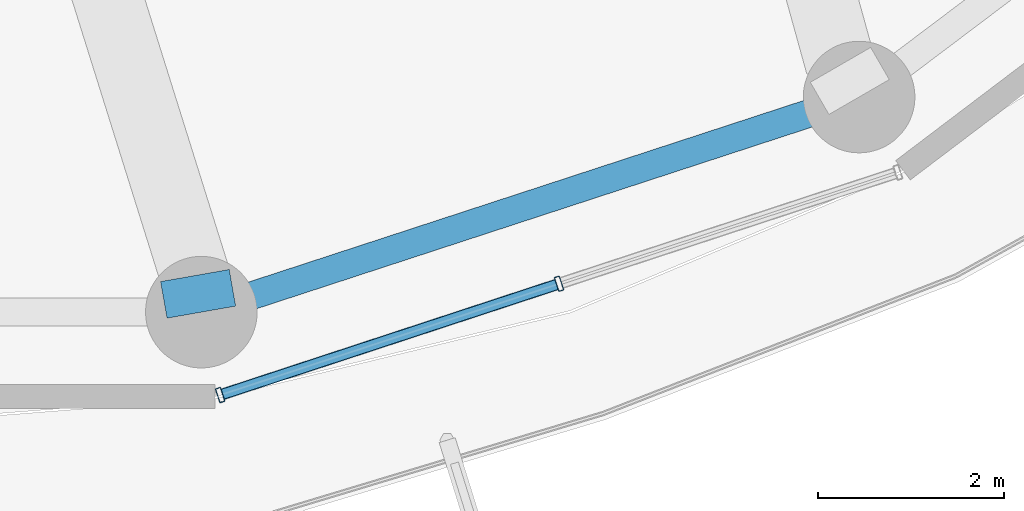
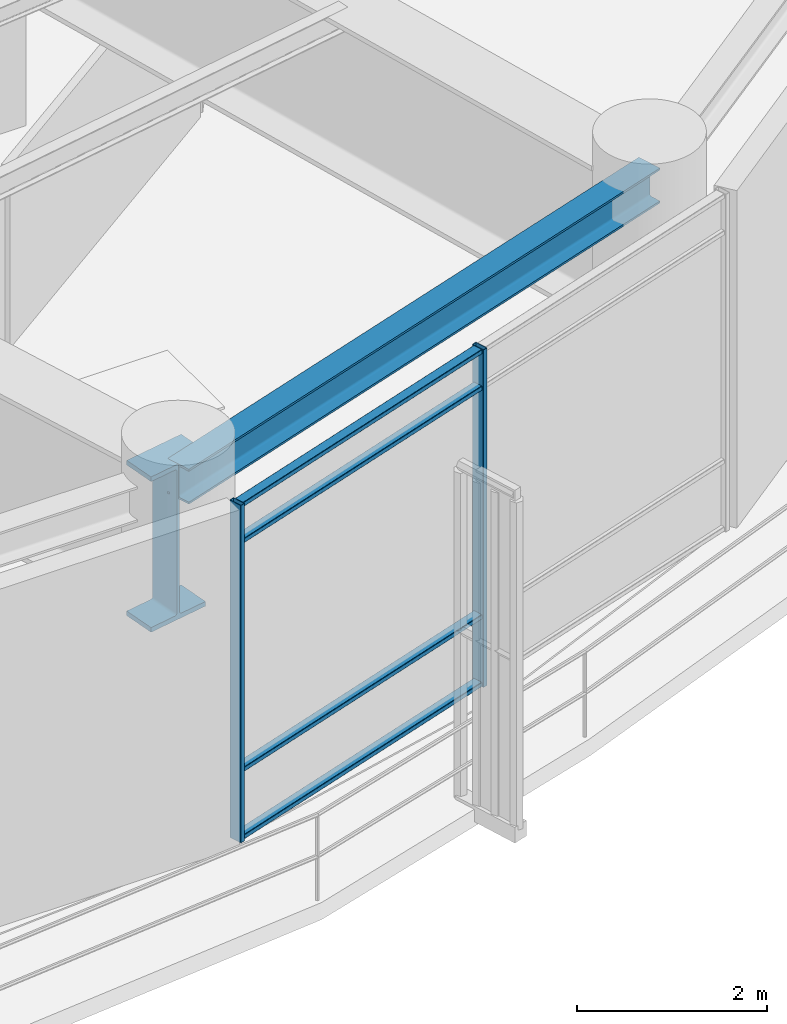
# One storey, part 4 of 28: 6 members, 2 beams, 1 element without a shape of its own.
"""IFC4 building model written with IfcOpenShell, lengths in metres."""

from ifc_helpers import new_model, si_unit, direction, frame, origin, origin_2d, place, context, subcontext, project, spatial, hollow_rectangle, i_section, extrude, material, layer, layer_set, material_profile, profile_set, type_object, element, aggregate, save


model = new_model("IFC4")

# Units and contexts
model_context = context("Model", 3, precision=1e-05, world=origin(), true_north=direction((0.0, 1.0)))
body_context = subcontext(model_context, "Body", "Model", "MODEL_VIEW")
ifc_project = project(units=[si_unit("LENGTHUNIT", "METRE"), si_unit("AREAUNIT", "SQUARE_METRE"), si_unit("VOLUMEUNIT", "CUBIC_METRE"), si_unit("PLANEANGLEUNIT", "RADIAN"), si_unit("MASSUNIT", "GRAM", prefix="KILO")], contexts=[model_context])

# Site, building, storey
site_placement = place(None, origin())
site = spatial("IfcSite", under=ifc_project, at=site_placement, CompositionType="ELEMENT")
building_placement = place(site_placement, origin())
building = spatial("IfcBuilding", under=site, at=building_placement, Name="Kelanora Arch Commons", CompositionType="ELEMENT")
storey_placement = place(building_placement, frame((0.0, 0.0, 184.35009765625)))
storey = spatial("IfcBuildingStorey", under=building, at=storey_placement, Name="L47", CompositionType="ELEMENT", Elevation=184.35009765625)

# Beams
ifc_material_1 = material(Name="Steel S355", Category="steel")
ifc_material_profile_1 = material_profile(ifc_material_1, i_section(OverallWidth=0.300048828125, OverallDepth=0.449951171875, WebThickness=0.013916015625, FlangeThickness=0.02587890625, FilletRadius=0.027099609375, at=origin_2d()), Name="HEB450")
ifc_profile_set_1 = profile_set([ifc_material_profile_1], Name="Steel S355")
beam_type_1 = type_object("IfcBeamType", Name="BM-SPN-Z3", PredefinedType="SPANDREL", material=ifc_profile_set_1)
beam_1_placement = place(storey_placement, frame((77.7646484375, 38.81591796875, 4.135009765625), z_axis=(0.950461975786, 0.310840847676, 0.0), x_axis=(-0.310840847676, 0.950461975786, 0.0)))
element("IfcBeam", 1, at=beam_1_placement, inside=storey, type_object=beam_type_1, Name="Perimeter Spandrel Beam BS-28 L47", PredefinedType="SPANDREL", context=body_context, shape_type="SweptSolid", body=[
    extrude(i_section(OverallWidth=0.300048828125, OverallDepth=0.449951171875, WebThickness=0.013916015625, FlangeThickness=0.02587890625, FilletRadius=0.027099609375, at=origin_2d()), origin(), (0.0, 0.0, 1.0), 7.444091796875),
])
ifc_material_profile_2 = material_profile(ifc_material_1, i_section(OverallWidth=0.75, OverallDepth=2.0, WebThickness=0.034912109375, FlangeThickness=0.06005859375, FilletRadius=0.028076171875, at=origin_2d()), Name="PG2000x750")
ifc_profile_set_2 = profile_set([ifc_material_profile_2], Name="Steel S355")
beam_type_2 = type_object("IfcBeamType", Name="BM-XFER-SET", PredefinedType="USERDEFINED", material=ifc_profile_set_2)
beam_2_placement = place(storey_placement, frame((77.6953125, 39.2099609375, 3.35986328125), z_axis=(0.173297968404, -0.984869440153, 0.0), x_axis=(0.984869440153, 0.173297968404, 0.0)))
element("IfcBeam", 2, at=beam_2_placement, inside=storey, type_object=beam_type_2, Name="Radial Floor Girder BR-28 L47", ObjectType="TRANSFER_GIRDER", PredefinedType="USERDEFINED", context=body_context, shape_type="SweptSolid", body=[
    extrude(i_section(OverallWidth=0.75, OverallDepth=2.0, WebThickness=0.034912109375, FlangeThickness=0.06005859375, FilletRadius=0.028076171875, at=origin_2d()), origin(), (0.0, 0.0, 1.0), 0.400146484375),
])

# Curtain wall, members
ifc_material_2 = material(Name="Terracotta ceramic-fritted low-E glass and aluminium", Category="masonry")
ifc_layer = layer(ifc_material_2, 0.175048828125)
ifc_layer_set = layer_set([ifc_layer], Name="Terracotta ceramic-fritted low-E glass and aluminium")
curtain_wall_type = type_object("IfcCurtainWallType", Name="CW-SYS-02", PredefinedType="NOTDEFINED", material=ifc_layer_set)
curtain_wall_placement = place(storey_placement, origin())
curtain_wall = element("IfcCurtainWall", 3, at=curtain_wall_placement, inside=storey, type_object=curtain_wall_type, Name="Unitised Curtain Wall L47-B14", PredefinedType="NOTDEFINED")
ifc_material_3 = material(Name="Powder-coated aluminium terracotta", Category="masonry")
ifc_material_profile_3 = material_profile(ifc_material_3, hollow_rectangle(XDim=0.159912109375, YDim=0.06005859375, WallThickness=0.0048828125, InnerFilletRadius=0.0048828125, OuterFilletRadius=0.010009765625, at=origin_2d()), Name="CWM160x60")
ifc_profile_set_3 = profile_set([ifc_material_profile_3], Name="Powder-coated aluminium terracotta")
member_type_1 = type_object("IfcMemberType", Name="CWM-STD", PredefinedType="MULLION", material=ifc_profile_set_3)
member_1_placement = place(storey_placement, frame((77.96728515625, 37.924072265625, 0.0), z_axis=(0.0, 0.0, 1.0), x_axis=(-0.312128279571, 0.95003996605, 0.0)))
member_1 = element("IfcMember", 4, at=member_1_placement, type_object=member_type_1, Name="CW-02 mullion 1", PredefinedType="MULLION", context=body_context, shape_type="SweptSolid", body=[
    extrude(hollow_rectangle(XDim=0.159912109375, YDim=0.06005859375, WallThickness=0.0048828125, InnerFilletRadius=0.0048828125, OuterFilletRadius=0.010009765625, at=origin_2d()), origin(), (0.0, 0.0, 1.0), 4.344970703125),
])
member_2_placement = place(storey_placement, frame((81.6123046875, 39.12158203125, 0.0), z_axis=(0.0, 0.0, 1.0), x_axis=(-0.312128279571, 0.95003996605, 0.0)))
member_2 = element("IfcMember", 5, at=member_2_placement, type_object=member_type_1, Name="CW-02 mullion 2", PredefinedType="MULLION", context=body_context, shape_type="SweptSolid", body=[
    extrude(hollow_rectangle(XDim=0.159912109375, YDim=0.06005859375, WallThickness=0.0048828125, InnerFilletRadius=0.0048828125, OuterFilletRadius=0.010009765625, at=origin_2d()), origin(), (0.0, 0.0, 1.0), 4.344970703125),
])
ifc_material_profile_4 = material_profile(ifc_material_3, hollow_rectangle(XDim=0.1201171875, YDim=0.06005859375, WallThickness=0.0048828125, InnerFilletRadius=0.0048828125, OuterFilletRadius=0.010009765625, at=origin_2d()), Name="CWT120x60")
ifc_profile_set_4 = profile_set([ifc_material_profile_4], Name="Powder-coated aluminium terracotta")
member_type_2 = type_object("IfcMemberType", Name="CWT-STD", PredefinedType="USERDEFINED", material=ifc_profile_set_4)
member_3_placement = place(storey_placement, frame((77.99560546875, 37.933349609375, 0.02978515625), z_axis=(0.950051191155, 0.312094111104, 0.0), x_axis=(-0.312094111104, 0.950051191155, 0.0)))
member_3 = element("IfcMember", 6, at=member_3_placement, type_object=member_type_2, Name="CW-02 transom 1.1", ObjectType="TRANSOM", PredefinedType="USERDEFINED", context=body_context, shape_type="SweptSolid", body=[
    extrude(hollow_rectangle(XDim=0.1201171875, YDim=0.06005859375, WallThickness=0.0048828125, InnerFilletRadius=0.0048828125, OuterFilletRadius=0.010009765625, at=origin_2d()), origin(), (0.0, 0.0, 1.0), 3.77685546875),
])
member_4_placement = place(storey_placement, frame((77.99560546875, 37.933349609375, 0.89990234375), z_axis=(0.950051191155, 0.312094111104, 0.0), x_axis=(-0.312094111104, 0.950051191155, 0.0)))
member_4 = element("IfcMember", 7, at=member_4_placement, type_object=member_type_2, Name="CW-02 transom 1.2", ObjectType="TRANSOM", PredefinedType="USERDEFINED", context=body_context, shape_type="SweptSolid", body=[
    extrude(hollow_rectangle(XDim=0.1201171875, YDim=0.06005859375, WallThickness=0.0048828125, InnerFilletRadius=0.0048828125, OuterFilletRadius=0.010009765625, at=origin_2d()), origin(), (0.0, 0.0, 1.0), 3.77685546875),
])
member_5_placement = place(storey_placement, frame((77.99560546875, 37.933349609375, 3.844970703125), z_axis=(0.950051191155, 0.312094111104, 0.0), x_axis=(-0.312094111104, 0.950051191155, 0.0)))
member_5 = element("IfcMember", 8, at=member_5_placement, type_object=member_type_2, Name="CW-02 transom 1.3", ObjectType="TRANSOM", PredefinedType="USERDEFINED", context=body_context, shape_type="SweptSolid", body=[
    extrude(hollow_rectangle(XDim=0.1201171875, YDim=0.06005859375, WallThickness=0.0048828125, InnerFilletRadius=0.0048828125, OuterFilletRadius=0.010009765625, at=origin_2d()), origin(), (0.0, 0.0, 1.0), 3.77685546875),
])
member_6_placement = place(storey_placement, frame((77.99560546875, 37.933349609375, 4.31494140625), z_axis=(0.950051191155, 0.312094111104, 0.0), x_axis=(-0.312094111104, 0.950051191155, 0.0)))
member_6 = element("IfcMember", 9, at=member_6_placement, type_object=member_type_2, Name="CW-02 transom 1.4", ObjectType="TRANSOM", PredefinedType="USERDEFINED", context=body_context, shape_type="SweptSolid", body=[
    extrude(hollow_rectangle(XDim=0.1201171875, YDim=0.06005859375, WallThickness=0.0048828125, InnerFilletRadius=0.0048828125, OuterFilletRadius=0.010009765625, at=origin_2d()), origin(), (0.0, 0.0, 1.0), 3.77685546875),
])
aggregate(curtain_wall, [member_1, member_2, member_3, member_4, member_5, member_6])

save(model, "model.ifc")
